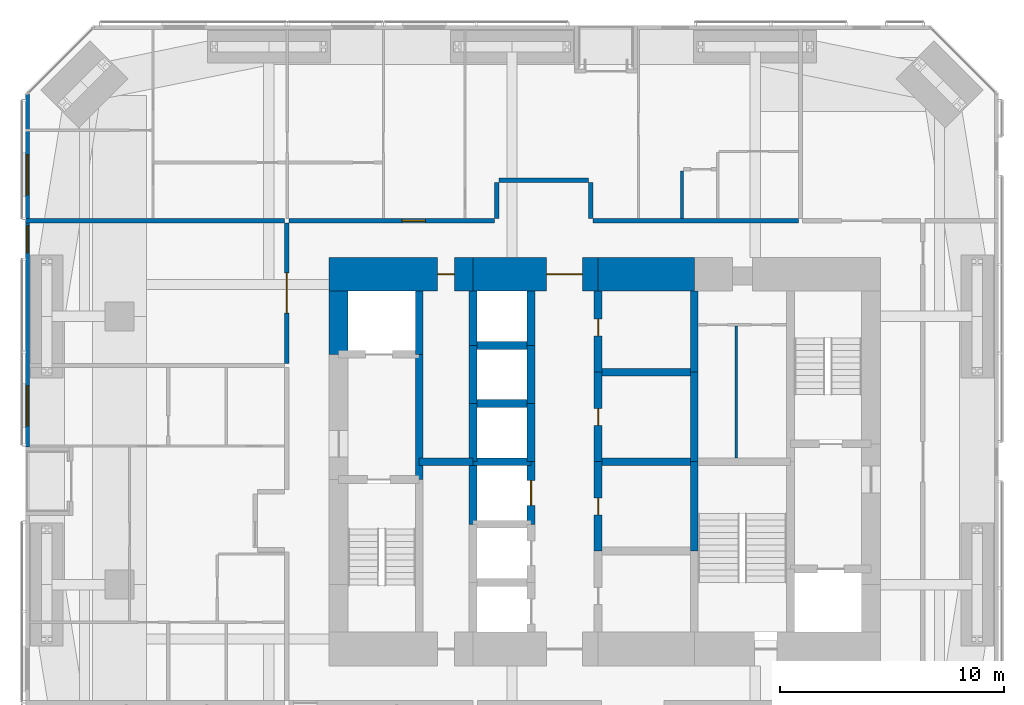
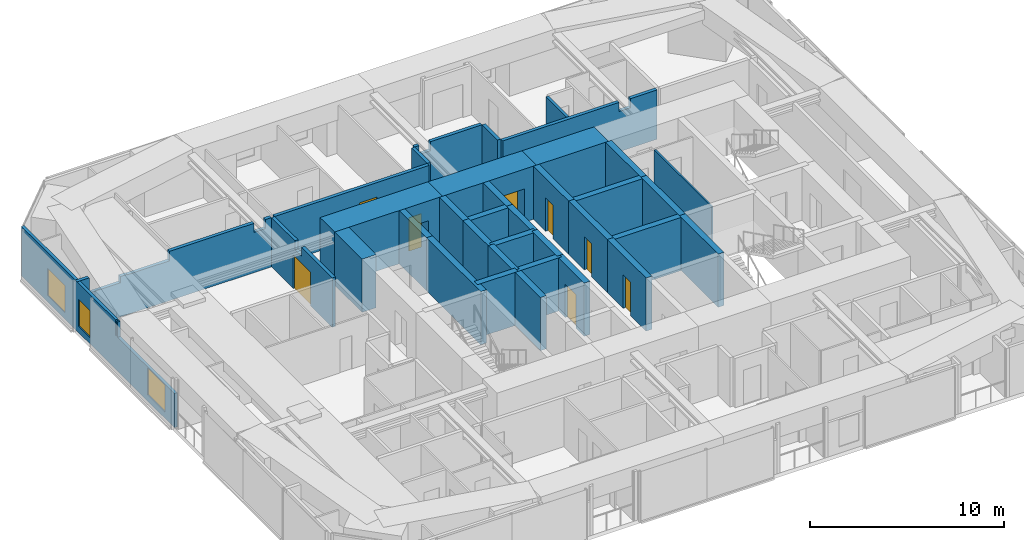
# One storey, part 19 of 23: 36 walls, 8 doors, 3 windows, 11 openings.
"""IFC4 building model written with IfcOpenShell, lengths in metres."""

from ifc_helpers import new_model, si_unit, direction, frame, frame_2d, origin, place, context, subcontext, project, spatial, polyline, rectangle, outline, extrude, material, layer, layer_set, constituent, constituent_set, type_object, element, fill, save


model = new_model("IFC4")

# Units and contexts
model_context = context("Model", 3, precision=1e-05, world=origin(), true_north=direction((0.0, 1.0)))
body_context = subcontext(model_context, "Body", "Model", "MODEL_VIEW")
ifc_project = project(units=[si_unit("LENGTHUNIT", "METRE"), si_unit("AREAUNIT", "SQUARE_METRE"), si_unit("VOLUMEUNIT", "CUBIC_METRE"), si_unit("PLANEANGLEUNIT", "RADIAN"), si_unit("MASSUNIT", "GRAM", prefix="KILO")], contexts=[model_context])

# Site, building, storey
site_placement = place(None, origin())
site = spatial("IfcSite", under=ifc_project, at=site_placement, CompositionType="ELEMENT")
building_placement = place(site_placement, origin())
building = spatial("IfcBuilding", under=site, at=building_placement, Name="Jalousie Tower", CompositionType="ELEMENT")
storey_placement = place(building_placement, frame((0.0, 0.0, 104.85009765625)))
storey = spatial("IfcBuildingStorey", under=building, at=storey_placement, Name="L28", CompositionType="ELEMENT", Elevation=104.85009765625)

# Walls
ifc_material_1 = material(Name="Concrete block ASTM C90", Category="concrete")
ifc_constituent_1 = constituent(ifc_material_1, Name="Body")
ifc_material_2 = material(Name="Render")
ifc_constituent_2 = constituent(ifc_material_2, Name="Finish")
ifc_constituent_set_1 = constituent_set(constituents=[ifc_constituent_1, ifc_constituent_2])
wall_type_1 = type_object("IfcWallType", Name="BATHROOM WALL 150", PredefinedType="PLUMBINGWALL", material=ifc_constituent_set_1)
wall_1_placement = place(storey_placement, frame((35.35009765625, 31.5, 0.0), z_axis=(0.0, 0.0, 1.0), x_axis=(0.0, -1.0, 0.0)))
element("IfcWall", 1, at=wall_1_placement, inside=storey, type_object=wall_type_1, Name="Bathroom Wall 150 L28", PredefinedType="PLUMBINGWALL", context=body_context, shape_type="SweptSolid", body=[
    extrude(rectangle(XDim=2.125, YDim=0.14990234375, at=frame_2d((1.0625, 0.0))), origin(), (0.0, 0.0, 1.0), 3.10986328125),
])
ifc_material_3 = material(Name="Concrete f'c 120 MPa", Category="concrete")
ifc_layer_1 = layer(ifc_material_3, 1.5)
ifc_layer_set_1 = layer_set([ifc_layer_1], Name="Concrete f'c 120 MPa")
wall_type_2 = type_object("IfcWallType", Name="CORE WALL 1500", PredefinedType="SHEAR", material=ifc_layer_set_1)
wall_2_placement = place(storey_placement, frame((35.89990234375, 26.875, 0.0), z_axis=(0.0, 0.0, 1.0), x_axis=(-1.0, 0.0, 0.0)))
element("IfcWall", 2, at=wall_2_placement, inside=storey, type_object=wall_type_2, Name="Core wall NB L28", PredefinedType="SHEAR", context=body_context, shape_type="SweptSolid", body=[
    extrude(rectangle(XDim=4.2998046875, YDim=1.5, at=frame_2d((2.14990234375, 0.0))), origin(), (0.0, 0.0, 1.0), 3.349853515625),
])

# Wall, opening, door
wall_3_placement = place(storey_placement, frame((31.60009765625, 26.875, 0.0), z_axis=(0.0, 0.0, 1.0), x_axis=(-1.0, 0.0, 0.0)))
wall_3 = element("IfcWall", 3, at=wall_3_placement, inside=storey, type_object=wall_type_2, Name="Core wall NC L28", PredefinedType="SHEAR", context=body_context, shape_type="SweptSolid", body=[
    extrude(rectangle(XDim=5.60009765625, YDim=1.5, at=frame_2d((2.800048828125, 0.0))), origin(), (0.0, 0.0, 1.0), 3.349853515625),
])
opening_1_placement = place(wall_3_placement, frame((0.699951171875, 0.0, 0.0)))
opening_1 = element("IfcOpeningElement", 4, at=opening_1_placement, cuts=wall_3, Name="Opening D15", PredefinedType="OPENING", context=body_context, shape_type="SweptSolid", body=[
    extrude(rectangle(XDim=1.60009765625, YDim=2.10009765625, at=frame_2d((0.800048828125, 1.050048828125))), frame((0.0, 0.760009765625, 0.0), z_axis=(0.0, -1.0, 0.0), x_axis=(1.0, 0.0, 0.0)), (0.0, 0.0, 1.0), 1.52001953125),
])
ifc_material_4 = material(Name="Steel fire door", Category="steel")
door_type_1 = type_object("IfcDoorType", Name="LIFT LOBBY DOOR 1600", OperationType="DOUBLE_DOOR_SINGLE_SWING", PredefinedType="DOOR", material=ifc_material_4)
door_1_placement = place(opening_1_placement, origin())
door_1 = element("IfcDoor", 5, at=door_1_placement, inside=storey, type_object=door_type_1, Name="Lift lobby north door", OperationType="DOUBLE_DOOR_SINGLE_SWING", OverallHeight=2.10009765625, OverallWidth=1.60009765625, PredefinedType="DOOR", context=body_context, shape_type="SweptSolid", body=[
    extrude(rectangle(XDim=1.60009765625, YDim=2.10009765625, at=frame_2d((0.800048828125, 1.050048828125))), frame((0.0, 0.02490234375, 0.0), z_axis=(0.0, -1.0, 0.0), x_axis=(1.0, 0.0, 0.0)), (0.0, 0.0, 1.0), 0.050048828125),
])
fill(opening_1, door_1)

wall_4_placement = place(storey_placement, frame((26.0, 26.875, 0.0), z_axis=(0.0, 0.0, 1.0), x_axis=(-1.0, 0.0, 0.0)))
wall_4 = element("IfcWall", 6, at=wall_4_placement, inside=storey, type_object=wall_type_2, Name="Core wall ND L28", PredefinedType="SHEAR", context=body_context, shape_type="SweptSolid", body=[
    extrude(rectangle(XDim=6.425048828125, YDim=1.5, at=frame_2d((3.21240234375, 0.0))), origin(), (0.0, 0.0, 1.0), 3.349853515625),
])
opening_2_placement = place(wall_4_placement, frame((0.824951171875, 0.0, 0.0)))
opening_2 = element("IfcOpeningElement", 7, at=opening_2_placement, cuts=wall_4, Name="Opening D16", PredefinedType="OPENING", context=body_context, shape_type="SweptSolid", body=[
    extrude(rectangle(XDim=0.75, YDim=2.10009765625, at=frame_2d((0.375, 1.050048828125))), frame((0.0, 0.760009765625, 0.0), z_axis=(0.0, -1.0, 0.0), x_axis=(1.0, 0.0, 0.0)), (0.0, 0.0, 1.0), 1.52001953125),
])
ifc_material_5 = material(Name="Steel fire door", Category="steel")
door_type_2 = type_object("IfcDoorType", Name="RISER DOOR 750", OperationType="SINGLE_SWING_LEFT", PredefinedType="DOOR", material=ifc_material_5)
door_2_placement = place(opening_2_placement, origin())
door_2 = element("IfcDoor", 8, at=door_2_placement, inside=storey, type_object=door_type_2, Name="North riser door", OperationType="SINGLE_SWING_RIGHT", OverallHeight=2.10009765625, OverallWidth=0.75, PredefinedType="DOOR", context=body_context, shape_type="SweptSolid", body=[
    extrude(rectangle(XDim=0.75, YDim=2.10009765625, at=frame_2d((0.375, 1.050048828125))), frame((0.0, 0.02490234375, 0.0), z_axis=(0.0, -1.0, 0.0), x_axis=(1.0, 0.0, 0.0)), (0.0, 0.0, 1.0), 0.050048828125),
])
fill(opening_2, door_2)

# Walls
ifc_material_6 = material(Name="Concrete f'c 120 MPa", Category="concrete")
ifc_layer_2 = layer(ifc_material_6, 0.35009765625)
ifc_layer_set_2 = layer_set([ifc_layer_2], Name="Concrete f'c 120 MPa")
wall_type_3 = type_object("IfcWallType", Name="CORE WALL 350", PredefinedType="SHEAR", material=ifc_layer_set_2)
wall_5_placement = place(storey_placement, frame((23.60009765625, 17.699951171875, 0.0), z_axis=(0.0, 0.0, 1.0), x_axis=(0.0, 1.0, 0.0)))
element("IfcWall", 9, at=wall_5_placement, inside=storey, type_object=wall_type_3, Name="Core wall X23.6B L28", PredefinedType="SHEAR", context=body_context, shape_type="SweptSolid", body=[
    extrude(rectangle(XDim=5.60009765625, YDim=0.35009765625, at=frame_2d((2.800048828125, 0.0))), origin(), (0.0, 0.0, 1.0), 3.349853515625),
])
wall_6_placement = place(storey_placement, frame((23.60009765625, 23.300048828125, 0.0), z_axis=(0.0, 0.0, 1.0), x_axis=(0.0, 1.0, 0.0)))
element("IfcWall", 10, at=wall_6_placement, inside=storey, type_object=wall_type_3, Name="Core wall X23.6C L28", PredefinedType="SHEAR", context=body_context, shape_type="SweptSolid", body=[
    extrude(rectangle(XDim=2.824951171875, YDim=0.35009765625, at=frame_2d((1.41259765625, 0.0))), origin(), (0.0, 0.0, 1.0), 3.349853515625),
])
wall_7_placement = place(storey_placement, frame((26.0, 15.699951171875, 0.0), z_axis=(0.0, 0.0, 1.0), x_axis=(0.0, 1.0, 0.0)))
element("IfcWall", 11, at=wall_7_placement, inside=storey, type_object=wall_type_3, Name="Core wall X26C L28", PredefinedType="SHEAR", context=body_context, shape_type="SweptSolid", body=[
    extrude(rectangle(XDim=2.800048828125, YDim=0.35009765625, at=frame_2d((1.39990234375, 0.0))), origin(), (0.0, 0.0, 1.0), 3.349853515625),
])
wall_8_placement = place(storey_placement, frame((26.0, 18.5, 0.0), z_axis=(0.0, 0.0, 1.0), x_axis=(0.0, 1.0, 0.0)))
element("IfcWall", 12, at=wall_8_placement, inside=storey, type_object=wall_type_3, Name="Core wall X26D L28", PredefinedType="SHEAR", context=body_context, shape_type="SweptSolid", body=[
    extrude(rectangle(XDim=2.60009765625, YDim=0.35009765625, at=frame_2d((1.300048828125, 0.0))), origin(), (0.0, 0.0, 1.0), 3.349853515625),
])
wall_9_placement = place(storey_placement, frame((26.0, 21.10009765625, 0.0), z_axis=(0.0, 0.0, 1.0), x_axis=(0.0, 1.0, 0.0)))
element("IfcWall", 13, at=wall_9_placement, inside=storey, type_object=wall_type_3, Name="Core wall X26E L28", PredefinedType="SHEAR", context=body_context, shape_type="SweptSolid", body=[
    extrude(rectangle(XDim=2.599853515625, YDim=0.35009765625, at=frame_2d((1.2998046875, 0.0))), origin(), (0.0, 0.0, 1.0), 3.349853515625),
])
wall_10_placement = place(storey_placement, frame((26.0, 23.699951171875, 0.0), z_axis=(0.0, 0.0, 1.0), x_axis=(0.0, 1.0, 0.0)))
element("IfcWall", 14, at=wall_10_placement, inside=storey, type_object=wall_type_3, Name="Core wall X26F L28", PredefinedType="SHEAR", context=body_context, shape_type="SweptSolid", body=[
    extrude(rectangle(XDim=2.425048828125, YDim=0.35009765625, at=frame_2d((1.21240234375, 0.0))), origin(), (0.0, 0.0, 1.0), 3.349853515625),
])

# Wall, opening, door
wall_11_placement = place(storey_placement, frame((28.60009765625, 15.699951171875, 0.0), z_axis=(0.0, 0.0, 1.0), x_axis=(0.0, 1.0, 0.0)))
wall_11 = element("IfcWall", 15, at=wall_11_placement, inside=storey, type_object=wall_type_3, Name="Core wall X28.6C L28", PredefinedType="SHEAR", context=body_context, shape_type="SweptSolid", body=[
    extrude(rectangle(XDim=2.800048828125, YDim=0.35009765625, at=frame_2d((1.39990234375, 0.0))), origin(), (0.0, 0.0, 1.0), 3.349853515625),
])
opening_3_placement = place(wall_11_placement, frame((0.85009765625, 0.0, 0.0)))
opening_3 = element("IfcOpeningElement", 16, at=opening_3_placement, cuts=wall_11, Name="Opening LD1", PredefinedType="OPENING", context=body_context, shape_type="SweptSolid", body=[
    extrude(rectangle(XDim=1.10009765625, YDim=2.10009765625, at=frame_2d((0.550048828125, 1.050048828125))), frame((0.0, 0.18505859375, 0.0), z_axis=(0.0, -1.0, 0.0), x_axis=(1.0, 0.0, 0.0)), (0.0, 0.0, 1.0), 0.3701171875),
])
ifc_material_7 = material(Name="Steel lift landing door", Category="steel")
door_type_3 = type_object("IfcDoorType", Name="LIFT LANDING DOOR 1100", OperationType="SLIDING_TO_LEFT", PredefinedType="DOOR", material=ifc_material_7)
door_3_placement = place(opening_3_placement, origin())
door_3 = element("IfcDoor", 17, at=door_3_placement, inside=storey, type_object=door_type_3, Name="Lift P3 landing door", OperationType="SLIDING_TO_LEFT", OverallHeight=2.10009765625, OverallWidth=1.10009765625, PredefinedType="DOOR", context=body_context, shape_type="SweptSolid", body=[
    extrude(rectangle(XDim=1.10009765625, YDim=2.10009765625, at=frame_2d((0.550048828125, 1.050048828125))), frame((0.0, 0.02490234375, 0.0), z_axis=(0.0, -1.0, 0.0), x_axis=(1.0, 0.0, 0.0)), (0.0, 0.0, 1.0), 0.050048828125),
])
fill(opening_3, door_3)

# Walls
wall_12_placement = place(storey_placement, frame((28.60009765625, 18.5, 0.0), z_axis=(0.0, 0.0, 1.0), x_axis=(0.0, 1.0, 0.0)))
element("IfcWall", 18, at=wall_12_placement, inside=storey, type_object=wall_type_3, Name="Core wall X28.6D L28", PredefinedType="SHEAR", context=body_context, shape_type="SweptSolid", body=[
    extrude(rectangle(XDim=2.60009765625, YDim=0.35009765625, at=frame_2d((1.300048828125, 0.0))), origin(), (0.0, 0.0, 1.0), 3.349853515625),
])
wall_13_placement = place(storey_placement, frame((28.60009765625, 21.10009765625, 0.0), z_axis=(0.0, 0.0, 1.0), x_axis=(0.0, 1.0, 0.0)))
element("IfcWall", 19, at=wall_13_placement, inside=storey, type_object=wall_type_3, Name="Core wall X28.6E L28", PredefinedType="SHEAR", context=body_context, shape_type="SweptSolid", body=[
    extrude(rectangle(XDim=2.599853515625, YDim=0.35009765625, at=frame_2d((1.2998046875, 0.0))), origin(), (0.0, 0.0, 1.0), 3.349853515625),
])
wall_14_placement = place(storey_placement, frame((28.60009765625, 23.699951171875, 0.0), z_axis=(0.0, 0.0, 1.0), x_axis=(0.0, 1.0, 0.0)))
element("IfcWall", 20, at=wall_14_placement, inside=storey, type_object=wall_type_3, Name="Core wall X28.6F L28", PredefinedType="SHEAR", context=body_context, shape_type="SweptSolid", body=[
    extrude(rectangle(XDim=2.425048828125, YDim=0.35009765625, at=frame_2d((1.21240234375, 0.0))), origin(), (0.0, 0.0, 1.0), 3.349853515625),
])

# Wall, opening, door
wall_15_placement = place(storey_placement, frame((31.60009765625, 14.5, 0.0), z_axis=(0.0, 0.0, 1.0), x_axis=(0.0, 1.0, 0.0)))
wall_15 = element("IfcWall", 21, at=wall_15_placement, inside=storey, type_object=wall_type_3, Name="Core wall X31.6B L28", PredefinedType="SHEAR", context=body_context, shape_type="SweptSolid", body=[
    extrude(rectangle(XDim=4.0, YDim=0.35009765625, at=frame_2d((2.0, 0.0))), origin(), (0.0, 0.0, 1.0), 3.349853515625),
])
opening_4_placement = place(wall_15_placement, frame((1.625, 0.0, 0.0)))
opening_4 = element("IfcOpeningElement", 22, at=opening_4_placement, cuts=wall_15, Name="Opening D16", PredefinedType="OPENING", context=body_context, shape_type="SweptSolid", body=[
    extrude(rectangle(XDim=0.75, YDim=2.10009765625, at=frame_2d((0.375, 1.050048828125))), frame((0.0, 0.18505859375, 0.0), z_axis=(0.0, -1.0, 0.0), x_axis=(1.0, 0.0, 0.0)), (0.0, 0.0, 1.0), 0.3701171875),
])
door_4_placement = place(opening_4_placement, frame((0.75, 0.0, 0.0), z_axis=(0.0, 0.0, 1.0), x_axis=(-1.0, 0.0, 0.0)))
door_4 = element("IfcDoor", 23, at=door_4_placement, inside=storey, type_object=door_type_2, Name="Electrical Room door", OperationType="SINGLE_SWING_RIGHT", OverallHeight=2.10009765625, OverallWidth=0.75, PredefinedType="DOOR", context=body_context, shape_type="SweptSolid", body=[
    extrude(rectangle(XDim=0.75, YDim=2.10009765625, at=frame_2d((0.375, 1.050048828125))), frame((0.0, 0.02490234375, 0.0), z_axis=(0.0, -1.0, 0.0), x_axis=(1.0, 0.0, 0.0)), (0.0, 0.0, 1.0), 0.050048828125),
])
fill(opening_4, door_4)

wall_16_placement = place(storey_placement, frame((31.60009765625, 18.5, 0.0), z_axis=(0.0, 0.0, 1.0), x_axis=(0.0, 1.0, 0.0)))
wall_16 = element("IfcWall", 24, at=wall_16_placement, inside=storey, type_object=wall_type_3, Name="Core wall X31.6C L28", PredefinedType="SHEAR", context=body_context, shape_type="SweptSolid", body=[
    extrude(rectangle(XDim=4.0, YDim=0.35009765625, at=frame_2d((2.0, 0.0))), origin(), (0.0, 0.0, 1.0), 3.349853515625),
])
opening_5_placement = place(wall_16_placement, frame((1.625, 0.0, 0.0)))
opening_5 = element("IfcOpeningElement", 25, at=opening_5_placement, cuts=wall_16, Name="Opening D16", PredefinedType="OPENING", context=body_context, shape_type="SweptSolid", body=[
    extrude(rectangle(XDim=0.75, YDim=2.10009765625, at=frame_2d((0.375, 1.050048828125))), frame((0.0, 0.18505859375, 0.0), z_axis=(0.0, -1.0, 0.0), x_axis=(1.0, 0.0, 0.0)), (0.0, 0.0, 1.0), 0.3701171875),
])
door_5_placement = place(opening_5_placement, frame((0.75, 0.0, 0.0), z_axis=(0.0, 0.0, 1.0), x_axis=(-1.0, 0.0, 0.0)))
door_5 = element("IfcDoor", 26, at=door_5_placement, inside=storey, type_object=door_type_2, Name="Telecom Room door", OperationType="SINGLE_SWING_RIGHT", OverallHeight=2.10009765625, OverallWidth=0.75, PredefinedType="DOOR", context=body_context, shape_type="SweptSolid", body=[
    extrude(rectangle(XDim=0.75, YDim=2.10009765625, at=frame_2d((0.375, 1.050048828125))), frame((0.0, 0.02490234375, 0.0), z_axis=(0.0, -1.0, 0.0), x_axis=(1.0, 0.0, 0.0)), (0.0, 0.0, 1.0), 0.050048828125),
])
fill(opening_5, door_5)

wall_17_placement = place(storey_placement, frame((31.60009765625, 22.5, 0.0), z_axis=(0.0, 0.0, 1.0), x_axis=(0.0, 1.0, 0.0)))
wall_17 = element("IfcWall", 27, at=wall_17_placement, inside=storey, type_object=wall_type_3, Name="Core wall X31.6D L28", PredefinedType="SHEAR", context=body_context, shape_type="SweptSolid", body=[
    extrude(rectangle(XDim=3.625, YDim=0.35009765625, at=frame_2d((1.8125, 0.0))), origin(), (0.0, 0.0, 1.0), 3.349853515625),
])
opening_6_placement = place(wall_17_placement, frame((1.625, 0.0, 0.0)))
opening_6 = element("IfcOpeningElement", 28, at=opening_6_placement, cuts=wall_17, Name="Opening D16", PredefinedType="OPENING", context=body_context, shape_type="SweptSolid", body=[
    extrude(rectangle(XDim=0.75, YDim=2.10009765625, at=frame_2d((0.375, 1.050048828125))), frame((0.0, 0.18505859375, 0.0), z_axis=(0.0, -1.0, 0.0), x_axis=(1.0, 0.0, 0.0)), (0.0, 0.0, 1.0), 0.3701171875),
])
door_6_placement = place(opening_6_placement, frame((0.75, 0.0, 0.0), z_axis=(0.0, 0.0, 1.0), x_axis=(-1.0, 0.0, 0.0)))
door_6 = element("IfcDoor", 29, at=door_6_placement, inside=storey, type_object=door_type_2, Name="Water Services Room door", OperationType="SINGLE_SWING_LEFT", OverallHeight=2.10009765625, OverallWidth=0.75, PredefinedType="DOOR", context=body_context, shape_type="SweptSolid", body=[
    extrude(rectangle(XDim=0.75, YDim=2.10009765625, at=frame_2d((0.375, 1.050048828125))), frame((0.0, 0.02490234375, 0.0), z_axis=(0.0, -1.0, 0.0), x_axis=(1.0, 0.0, 0.0)), (0.0, 0.0, 1.0), 0.050048828125),
])
fill(opening_6, door_6)

# Walls
for number, where, z_axis, x_axis, name in (
    (30, (35.89990234375, 14.5, 0.0), (0.0, 0.0, 1.0), (0.0, 1.0, 0.0), "Core wall X35.9B L28"),
    (31, (35.89990234375, 18.5, 0.0), (0.0, 0.0, 1.0), (0.0, 1.0, 0.0), "Core wall X35.9C L28"),
):
    element("IfcWall", number, at=place(storey_placement, frame(where, z_axis=z_axis, x_axis=x_axis)), inside=storey, type_object=wall_type_3, Name=name, PredefinedType="SHEAR", context=body_context, shape_type="SweptSolid", body=[
        extrude(rectangle(XDim=4.0, YDim=0.35009765625, at=frame_2d((2.0, 0.0))), origin(), (0.0, 0.0, 1.0), 3.349853515625),
    ])
wall_18_placement = place(storey_placement, frame((35.89990234375, 22.5, 0.0), z_axis=(0.0, 0.0, 1.0), x_axis=(0.0, 1.0, 0.0)))
element("IfcWall", 32, at=wall_18_placement, inside=storey, type_object=wall_type_3, Name="Core wall X35.9D L28", PredefinedType="SHEAR", context=body_context, shape_type="SweptSolid", body=[
    extrude(rectangle(XDim=3.625, YDim=0.35009765625, at=frame_2d((1.8125, 0.0))), origin(), (0.0, 0.0, 1.0), 3.349853515625),
])
wall_19_placement = place(storey_placement, frame((23.60009765625, 18.5, 0.0), z_axis=(0.0, 0.0, 1.0), x_axis=(1.0, 0.0, 0.0)))
element("IfcWall", 33, at=wall_19_placement, inside=storey, type_object=wall_type_3, Name="Core wall Y23.6-18.5 L28", PredefinedType="SHEAR", context=body_context, shape_type="SweptSolid", body=[
    extrude(rectangle(XDim=2.39990234375, YDim=0.35009765625, at=frame_2d((1.199951171875, 0.0))), origin(), (0.0, 0.0, 1.0), 3.349853515625),
])
for number, where, z_axis, x_axis, name in (
    (34, (26.0, 18.5, 0.0), (0.0, 0.0, 1.0), (1.0, 0.0, 0.0), "Core wall Y26-18.5 L28"),
    (35, (26.0, 21.10009765625, 0.0), (0.0, 0.0, 1.0), (1.0, 0.0, 0.0), "Core wall Y26-21.1 L28"),
    (36, (26.0, 23.699951171875, 0.0), (0.0, 0.0, 1.0), (1.0, 0.0, 0.0), "Core wall Y26-23.7 L28"),
):
    element("IfcWall", number, at=place(storey_placement, frame(where, z_axis=z_axis, x_axis=x_axis)), inside=storey, type_object=wall_type_3, Name=name, PredefinedType="SHEAR", context=body_context, shape_type="SweptSolid", body=[
        extrude(rectangle(XDim=2.60009765625, YDim=0.35009765625, at=frame_2d((1.300048828125, 0.0))), origin(), (0.0, 0.0, 1.0), 3.349853515625),
    ])
for number, where, z_axis, x_axis, name in (
    (37, (31.60009765625, 18.5, 0.0), (0.0, 0.0, 1.0), (1.0, 0.0, 0.0), "Core wall Y31.6-18.5 L28"),
    (38, (31.60009765625, 22.5, 0.0), (0.0, 0.0, 1.0), (1.0, 0.0, 0.0), "Core wall Y31.6-22.5 L28"),
):
    element("IfcWall", number, at=place(storey_placement, frame(where, z_axis=z_axis, x_axis=x_axis)), inside=storey, type_object=wall_type_3, Name=name, PredefinedType="SHEAR", context=body_context, shape_type="SweptSolid", body=[
        extrude(rectangle(XDim=4.2998046875, YDim=0.35009765625, at=frame_2d((2.14990234375, 0.0))), origin(), (0.0, 0.0, 1.0), 3.349853515625),
    ])
ifc_material_8 = material(Name="Concrete f'c 120 MPa", Category="concrete")
ifc_layer_3 = layer(ifc_material_8, 0.85009765625)
ifc_layer_set_3 = layer_set([ifc_layer_3], Name="Concrete f'c 120 MPa")
wall_type_4 = type_object("IfcWallType", Name="CORE WALL 850", PredefinedType="SHEAR", material=ifc_layer_set_3)
wall_20_placement = place(storey_placement, frame((20.0, 26.125, 0.0), z_axis=(0.0, 0.0, 1.0), x_axis=(0.0, -1.0, 0.0)))
element("IfcWall", 39, at=wall_20_placement, inside=storey, type_object=wall_type_4, Name="Core wall WA L28", PredefinedType="SHEAR", context=body_context, shape_type="SweptSolid", body=[
    extrude(rectangle(XDim=2.824951171875, YDim=0.85009765625, at=frame_2d((1.41259765625, 0.0))), origin(), (0.0, 0.0, 1.0), 3.349853515625),
])

# Wall, opening, door
ifc_material_9 = material(Name="Concrete block ASTM C90", Category="concrete")
ifc_constituent_3 = constituent(ifc_material_9, Name="Body")
ifc_material_10 = material(Name="Render")
ifc_constituent_4 = constituent(ifc_material_10, Name="Finish")
ifc_constituent_set_2 = constituent_set(constituents=[ifc_constituent_3, ifc_constituent_4])
wall_type_5 = type_object("IfcWallType", Name="CORRIDOR WALL 200", PredefinedType="PARTITIONING", material=ifc_constituent_set_2)
wall_21_placement = place(storey_placement, frame((17.77490234375, 29.27490234375, 0.0), z_axis=(0.0, 0.0, 1.0), x_axis=(1.0, 0.0, 0.0)))
wall_21 = element("IfcWall", 40, at=wall_21_placement, inside=storey, type_object=wall_type_5, Name="Corridor Wall 200 L28", PredefinedType="PARTITIONING", context=body_context, shape_type="SweptSolid", body=[
    extrude(rectangle(XDim=9.1875, YDim=0.199951171875, at=frame_2d((4.59375, 0.0))), origin(), (0.0, 0.0, 1.0), 3.10986328125),
])
opening_7_placement = place(wall_21_placement, frame((5.050048828125, 0.0, 0.0)))
opening_7 = element("IfcOpeningElement", 41, at=opening_7_placement, cuts=wall_21, Name="Opening D1", PredefinedType="OPENING", context=body_context, shape_type="SweptSolid", body=[
    extrude(rectangle(XDim=1.050048828125, YDim=2.199951171875, at=frame_2d((0.52490234375, 1.10009765625))), frame((0.0, 0.10986328125, 0.0), z_axis=(0.0, -1.0, 0.0), x_axis=(1.0, 0.0, 0.0)), (0.0, 0.0, 1.0), 0.219970703125),
])
ifc_material_11 = material(Name="Timber fire door", Category="wood")
door_type_4 = type_object("IfcDoorType", Name="APARTMENT ENTRANCE DOOR 1050", OperationType="SINGLE_SWING_LEFT", PredefinedType="DOOR", material=ifc_material_11)
door_7_placement = place(opening_7_placement, origin())
door_7 = element("IfcDoor", 42, at=door_7_placement, inside=storey, type_object=door_type_4, Name="Apartment 2804 entrance", OperationType="SINGLE_SWING_LEFT", OverallHeight=2.199951171875, OverallWidth=1.050048828125, PredefinedType="DOOR", context=body_context, shape_type="SweptSolid", body=[
    extrude(rectangle(XDim=1.050048828125, YDim=2.199951171875, at=frame_2d((0.52490234375, 1.10009765625))), frame((0.0, 0.02490234375, 0.0), z_axis=(0.0, -1.0, 0.0), x_axis=(1.0, 0.0, 0.0)), (0.0, 0.0, 1.0), 0.050048828125),
])
fill(opening_7, door_7)

wall_22_placement = place(storey_placement, frame((17.675048828125, 22.89990234375, 0.0), z_axis=(0.0, 0.0, 1.0), x_axis=(0.0, 1.0, 0.0)))
wall_22 = element("IfcWall", 43, at=wall_22_placement, inside=storey, type_object=wall_type_5, Name="Corridor Wall 200 L28", PredefinedType="PARTITIONING", context=body_context, shape_type="SweptSolid", body=[
    extrude(outline(polyline([(0.0, 0.0), (6.275146484375, 0.0), (6.27490234375, 3.10986328125), (3.8623046875, 3.10986328125), (3.8623046875, 2.541015625), (3.1875, 2.541015625), (3.1875, 3.10986328125), (0.0, 3.10986328125), (0.0, 0.0)])), frame((0.0, 0.10009765625, 0.0), z_axis=(0.0, -1.0, 0.0), x_axis=(1.0, 0.0, 0.0)), (0.0, 0.0, 1.0), 0.199951171875),
])
opening_8_placement = place(wall_22_placement, frame((2.237548828125, 0.0, 0.0)))
opening_8 = element("IfcOpeningElement", 44, at=opening_8_placement, cuts=wall_22, Name="Opening D22", PredefinedType="OPENING", context=body_context, shape_type="SweptSolid", body=[
    extrude(rectangle(XDim=1.800048828125, YDim=2.10009765625, at=frame_2d((0.89990234375, 1.050048828125))), frame((0.0, 0.10986328125, 0.0), z_axis=(0.0, -1.0, 0.0), x_axis=(1.0, 0.0, 0.0)), (0.0, 0.0, 1.0), 0.219970703125),
])
ifc_material_12 = material(Name="Timber fire door", Category="wood")
door_type_5 = type_object("IfcDoorType", Name="CORRIDOR DOUBLE DOOR 1800", OperationType="DOUBLE_DOOR_SINGLE_SWING", PredefinedType="DOOR", material=ifc_material_12)
door_8_placement = place(opening_8_placement, origin())
door_8 = element("IfcDoor", 45, at=door_8_placement, inside=storey, type_object=door_type_5, Name="Residents' library door", OperationType="DOUBLE_DOOR_SINGLE_SWING", OverallHeight=2.10009765625, OverallWidth=1.800048828125, PredefinedType="DOOR", context=body_context, shape_type="SweptSolid", body=[
    extrude(rectangle(XDim=1.800048828125, YDim=2.10009765625, at=frame_2d((0.89990234375, 1.050048828125))), frame((0.0, 0.02490234375, 0.0), z_axis=(0.0, -1.0, 0.0), x_axis=(1.0, 0.0, 0.0)), (0.0, 0.0, 1.0), 0.050048828125),
])
fill(opening_8, door_8)

# Walls
wall_23_placement = place(storey_placement, frame((31.362548828125, 29.27490234375, 0.0), z_axis=(0.0, 0.0, 1.0), x_axis=(1.0, 0.0, 0.0)))
element("IfcWall", 46, at=wall_23_placement, inside=storey, type_object=wall_type_5, Name="Corridor Wall 200 L28", PredefinedType="PARTITIONING", context=body_context, shape_type="SweptSolid", body=[
    extrude(outline(polyline([(0.0, 0.0), (9.1875, 0.0), (9.1875, 3.10986328125), (7.599853515625, 3.10986328125), (7.599853515625, 2.541015625), (6.925048828125, 2.541015625), (6.925048828125, 3.10986328125), (0.0, 3.10986328125), (0.0, 0.0)])), frame((0.0, 0.10009765625, 0.0), z_axis=(0.0, -1.0, 0.0), x_axis=(1.0, 0.0, 0.0)), (0.0, 0.0, 1.0), 0.199951171875),
])
wall_24_placement = place(storey_placement, frame((27.16259765625, 31.074951171875, 0.0), z_axis=(0.0, 0.0, 1.0), x_axis=(1.0, 0.0, 0.0)))
element("IfcWall", 47, at=wall_24_placement, inside=storey, type_object=wall_type_5, Name="Corridor Wall 200 L28", PredefinedType="PARTITIONING", context=body_context, shape_type="SweptSolid", body=[
    extrude(outline(polyline([(0.0, 0.0), (4.0, 0.0), (4.0, 3.10986328125), (0.9248046875, 3.10986328125), (0.9248046875, 2.541015625), (0.25, 2.541015625), (0.25, 3.10986328125), (0.0, 3.10986328125), (0.0, 0.0)])), frame((0.0, 0.10009765625, 0.0), z_axis=(0.0, -1.0, 0.0), x_axis=(1.0, 0.0, 0.0)), (0.0, 0.0, 1.0), 0.199951171875),
])
for number, where, z_axis, x_axis, name in (
    (48, (27.0625, 29.375, 0.0), (0.0, 0.0, 1.0), (0.0, 1.0, 0.0), "Corridor Wall 200 L28"),
    (49, (31.262451171875, 29.375, 0.0), (0.0, 0.0, 1.0), (0.0, 1.0, 0.0), "Corridor Wall 200 L28"),
):
    element("IfcWall", number, at=place(storey_placement, frame(where, z_axis=z_axis, x_axis=x_axis)), inside=storey, type_object=wall_type_5, Name=name, PredefinedType="PARTITIONING", context=body_context, shape_type="SweptSolid", body=[
        extrude(rectangle(XDim=1.60009765625, YDim=0.199951171875, at=frame_2d((0.800048828125, 0.0))), origin(), (0.0, 0.0, 1.0), 3.10986328125),
    ])

# Wall, openings, windows
ifc_material_13 = material(Name="Concrete f'c 40 MPa", Category="concrete")
ifc_constituent_5 = constituent(ifc_material_13, Name="Body")
ifc_material_14 = material(Name="Render, pastel sea green")
ifc_constituent_6 = constituent(ifc_material_14, Name="Finish")
ifc_constituent_set_3 = constituent_set(constituents=[ifc_constituent_5, ifc_constituent_6])
wall_type_6 = type_object("IfcWallType", Name="EXTERNAL WALL 175 SEA GREEN RENDER", PredefinedType="SOLIDWALL", material=ifc_constituent_set_3)
wall_25_placement = place(storey_placement, frame((6.08740234375, 34.94873046875, 0.0), z_axis=(0.0, 0.0, 1.0), x_axis=(0.0, -1.0, 0.0)))
wall_25 = element("IfcWall", 50, at=wall_25_placement, inside=storey, type_object=wall_type_6, Name="External Wall 175 Sea Green Render L28", PredefinedType="SOLIDWALL", context=body_context, shape_type="SweptSolid", body=[
    extrude(outline(polyline([(0.0, 0.0), (15.798828125, 0.0), (15.798583984375, 2.14990234375), (9.94873046875, 2.14990234375), (9.94873046875, 3.10986328125), (9.822998046875, 3.10986328125), (9.822998046875, 2.14990234375), (9.72998046875, 2.14990234375), (9.72998046875, 3.10986328125), (0.0, 3.10986328125), (0.0, 0.0)])), frame((0.0, 0.08740234375, 0.0), z_axis=(0.0, -1.0, 0.0), x_axis=(1.0, 0.0, 0.0)), (0.0, 0.0, 1.0), 0.175048828125),
])
opening_9_placement = place(wall_25_placement, frame((2.72412109375, 0.0, 0.39990234375)))
opening_9 = element("IfcOpeningElement", 51, at=opening_9_placement, cuts=wall_25, Name="Opening W-BED170", PredefinedType="OPENING", context=body_context, shape_type="SweptSolid", body=[
    extrude(rectangle(XDim=1.800048828125, YDim=1.699951171875, at=frame_2d((0.89990234375, 0.85009765625))), frame((0.0, 0.097412109375, 0.0), z_axis=(0.0, -1.0, 0.0), x_axis=(1.0, 0.0, 0.0)), (0.0, 0.0, 1.0), 0.195068359375),
])
opening_10_placement = place(wall_25_placement, frame((5.898681640625, 0.0, 0.39990234375)))
opening_10 = element("IfcOpeningElement", 52, at=opening_10_placement, cuts=wall_25, Name="Opening W-COR170", PredefinedType="OPENING", context=body_context, shape_type="SweptSolid", body=[
    extrude(rectangle(XDim=1.199951171875, YDim=1.699951171875, at=frame_2d((0.60009765625, 0.85009765625))), frame((0.0, 0.097412109375, 0.0), z_axis=(0.0, -1.0, 0.0), x_axis=(1.0, 0.0, 0.0)), (0.0, 0.0, 1.0), 0.195068359375),
])
opening_11_placement = place(wall_25_placement, frame((13.048583984375, 0.0, 0.39990234375)))
opening_11 = element("IfcOpeningElement", 53, at=opening_11_placement, cuts=wall_25, Name="Opening W-BED170", PredefinedType="OPENING", context=body_context, shape_type="SweptSolid", body=[
    extrude(rectangle(XDim=1.800048828125, YDim=1.699951171875, at=frame_2d((0.89990234375, 0.85009765625))), frame((0.0, 0.097412109375, 0.0), z_axis=(0.0, -1.0, 0.0), x_axis=(1.0, 0.0, 0.0)), (0.0, 0.0, 1.0), 0.195068359375),
])
ifc_material_15 = material(Name="Aluminium frame, impact-rated glazing", Category="aluminium")
window_type_1 = type_object("IfcWindowType", Name="WINDOW BED 1800x1700", PartitioningType="SINGLE_PANEL", PredefinedType="WINDOW", material=ifc_material_15)
window_1_placement = place(opening_9_placement, origin())
window_1 = element("IfcWindow", 54, at=window_1_placement, inside=storey, type_object=window_type_1, Name="Apartment 2804 bedroom 1 window", OverallHeight=1.699951171875, OverallWidth=1.800048828125, PartitioningType="SINGLE_PANEL", PredefinedType="WINDOW", context=body_context, shape_type="SweptSolid", body=[
    extrude(rectangle(XDim=1.800048828125, YDim=1.699951171875, at=frame_2d((0.89990234375, 0.85009765625))), frame((0.0, 0.030029296875, 0.0), z_axis=(0.0, -1.0, 0.0), x_axis=(1.0, 0.0, 0.0)), (0.0, 0.0, 1.0), 0.06005859375),
])
fill(opening_9, window_1)
window_2_placement = place(opening_11_placement, origin())
window_2 = element("IfcWindow", 55, at=window_2_placement, inside=storey, type_object=window_type_1, Name="Apartment 2805 bedroom 2 window", OverallHeight=1.699951171875, OverallWidth=1.800048828125, PartitioningType="SINGLE_PANEL", PredefinedType="WINDOW", context=body_context, shape_type="SweptSolid", body=[
    extrude(rectangle(XDim=1.800048828125, YDim=1.699951171875, at=frame_2d((0.89990234375, 0.85009765625))), frame((0.0, 0.030029296875, 0.0), z_axis=(0.0, -1.0, 0.0), x_axis=(1.0, 0.0, 0.0)), (0.0, 0.0, 1.0), 0.06005859375),
])
fill(opening_11, window_2)
ifc_material_16 = material(Name="Aluminium frame, impact-rated glazing", Category="aluminium")
window_type_2 = type_object("IfcWindowType", Name="WINDOW COR 1200x1700", PartitioningType="SINGLE_PANEL", PredefinedType="WINDOW", material=ifc_material_16)
window_3_placement = place(opening_10_placement, origin())
window_3 = element("IfcWindow", 56, at=window_3_placement, inside=storey, type_object=window_type_2, Name="Residents' library window", OverallHeight=1.699951171875, OverallWidth=1.199951171875, PartitioningType="SINGLE_PANEL", PredefinedType="WINDOW", context=body_context, shape_type="SweptSolid", body=[
    extrude(rectangle(XDim=1.199951171875, YDim=1.699951171875, at=frame_2d((0.60009765625, 0.85009765625))), frame((0.0, 0.030029296875, 0.0), z_axis=(0.0, -1.0, 0.0), x_axis=(1.0, 0.0, 0.0)), (0.0, 0.0, 1.0), 0.06005859375),
])
fill(opening_10, window_3)

# Walls
ifc_material_17 = material(Name="Gypsum board", Category="gypsum")
ifc_constituent_7 = constituent(ifc_material_17, Name="Body")
ifc_material_18 = material(Name="Light-gauge steel studs ASTM A653 SS Grade 33", Category="steel")
ifc_constituent_8 = constituent(ifc_material_18, Name="Framing")
ifc_constituent_set_4 = constituent_set(constituents=[ifc_constituent_7, ifc_constituent_8])
wall_type_7 = type_object("IfcWallType", Name="PARTITION 100", PredefinedType="PARTITIONING", material=ifc_constituent_set_4)
wall_26_placement = place(storey_placement, frame((37.77490234375, 18.675048828125, 0.0), z_axis=(0.0, 0.0, 1.0), x_axis=(0.0, 1.0, 0.0)))
element("IfcWall", 57, at=wall_26_placement, inside=storey, type_object=wall_type_7, Name="Partition 100 L28", PredefinedType="PARTITIONING", context=body_context, shape_type="SweptSolid", body=[
    extrude(rectangle(XDim=5.89990234375, YDim=0.10009765625, at=frame_2d((2.949951171875, 0.0))), origin(), (0.0, 0.0, 1.0), 3.10986328125),
])
ifc_material_19 = material(Name="Concrete block ASTM C90", Category="concrete")
ifc_constituent_9 = constituent(ifc_material_19, Name="Body")
ifc_material_20 = material(Name="Render")
ifc_constituent_10 = constituent(ifc_material_20, Name="Finish")
ifc_constituent_set_5 = constituent_set(constituents=[ifc_constituent_9, ifc_constituent_10])
wall_type_8 = type_object("IfcWallType", Name="PARTY WALL 200", PredefinedType="PARTITIONING", material=ifc_constituent_set_5)
wall_27_placement = place(storey_placement, frame((6.0, 29.27490234375, 0.0), z_axis=(0.0, 0.0, 1.0), x_axis=(1.0, 0.0, 0.0)))
element("IfcWall", 58, at=wall_27_placement, inside=storey, type_object=wall_type_8, Name="Party Wall 200 L28", PredefinedType="PARTITIONING", context=body_context, shape_type="SweptSolid", body=[
    extrude(outline(polyline([(0.0, 0.0), (11.574951171875, 0.0), (11.574951171875, 3.10986328125), (11.21240234375, 3.10986328125), (11.21240234375, 2.541015625), (10.53759765625, 2.541015625), (10.53759765625, 3.10986328125), (5.510009765625, 3.10986328125), (5.510009765625, 2.510009765625), (2.96875, 2.510009765625), (2.96875, 2.541015625), (2.565185546875, 2.541015625), (2.565185546875, 2.14990234375), (0.721435546875, 2.14990234375), (0.721435546875, 3.10986328125), (0.0, 3.10986328125), (0.0, 0.0)])), frame((0.0, 0.10009765625, 0.0), z_axis=(0.0, -1.0, 0.0), x_axis=(1.0, 0.0, 0.0)), (0.0, 0.0, 1.0), 0.199951171875),
])

save(model, "model.ifc")
